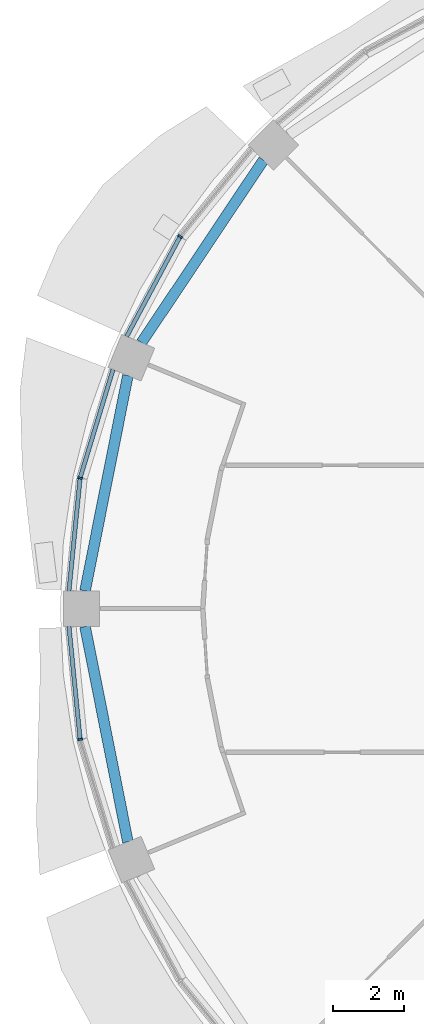
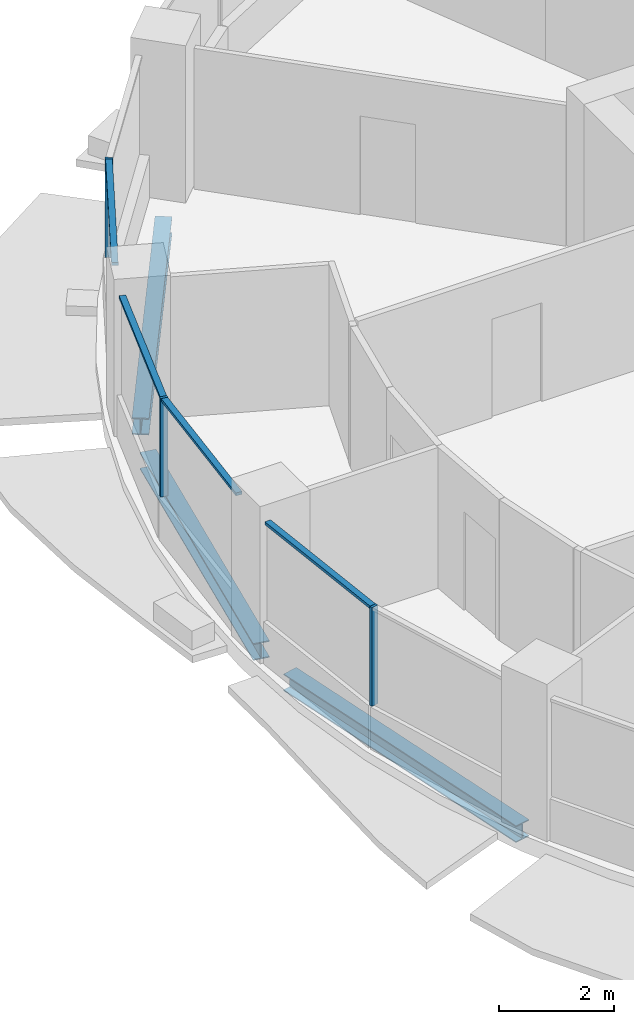
# One storey, part 4 of 15: 7 members, 3 beams, 3 elements without a shape of their own.
"""IFC4 building model written with IfcOpenShell, lengths in metres."""

from ifc_helpers import new_model, si_unit, direction, frame, origin, origin_2d, place, context, subcontext, project, spatial, rectangle, i_section, extrude, material, material_profile, profile_set, type_object, element, aggregate, save


model = new_model("IFC4")

# Units and contexts
model_context = context("Model", 3, precision=1e-05, world=origin(), true_north=direction((0.0, 1.0)))
body_context = subcontext(model_context, "Body", "Model", "MODEL_VIEW")
ifc_project = project(units=[si_unit("LENGTHUNIT", "METRE"), si_unit("AREAUNIT", "SQUARE_METRE"), si_unit("VOLUMEUNIT", "CUBIC_METRE"), si_unit("PLANEANGLEUNIT", "RADIAN"), si_unit("MASSUNIT", "GRAM", prefix="KILO")], contexts=[model_context])

# Site, building, storey
site_placement = place(None, origin())
site = spatial("IfcSite", under=ifc_project, at=site_placement, CompositionType="ELEMENT")
building_placement = place(site_placement, origin())
building = spatial("IfcBuilding", under=site, at=building_placement, Name="Polderwave Tower", CompositionType="ELEMENT")
storey_placement = place(building_placement, frame((0.0, 0.0, 131.0)))
storey = spatial("IfcBuildingStorey", under=building, at=storey_placement, Name="L34", CompositionType="ELEMENT", Elevation=131.0)

# Curtain wall, member
ifc_material_1 = material(Name="Aluminium 6063-T6 and glass", Category="aluminium")
curtain_wall_type = type_object("IfcCurtainWallType", Name="Office ribbon glazing wall", PredefinedType="NOTDEFINED", material=ifc_material_1)
curtain_wall_1_placement = place(storey_placement, origin())
curtain_wall_1 = element("IfcCurtainWall", 1, at=curtain_wall_1_placement, inside=storey, type_object=curtain_wall_type, Name="CW3 L34 06", PredefinedType="NOTDEFINED")
ifc_material_2 = material(Name="Aluminium 6063-T6", Category="aluminium")
ifc_material_profile_1 = material_profile(ifc_material_2, rectangle(XDim=0.139892578125, YDim=0.054931640625, at=origin_2d()), Name="AL 55x140")
ifc_profile_set_1 = profile_set([ifc_material_profile_1], Name="Aluminium 6063-T6")
member_type_1 = type_object("IfcMemberType", Name="Office ribbon glazing mullion 55x140", PredefinedType="MULLION", material=ifc_profile_set_1)
member_1_placement = place(storey_placement, frame((-15.614990234375, 10.43408203125, 0.89990234375), z_axis=(0.0, 0.0, 1.0), x_axis=(0.831411428565, -0.555657301267, 0.0)))
member_1 = element("IfcMember", 2, at=member_1_placement, type_object=member_type_1, Name="CW3 mullion 1", PredefinedType="MULLION", context=body_context, shape_type="SweptSolid", body=[
    extrude(rectangle(XDim=0.139892578125, YDim=0.054931640625, at=origin_2d()), origin(), (0.0, 0.0, 1.0), 2.10009765625),
])

curtain_wall_2_placement = place(storey_placement, origin())
curtain_wall_2 = element("IfcCurtainWall", 3, at=curtain_wall_2_placement, inside=storey, type_object=curtain_wall_type, Name="CW3 L34 07", PredefinedType="NOTDEFINED")
member_2_placement = place(storey_placement, frame((-18.4189453125, 3.6640625, 0.89990234375), z_axis=(0.0, 0.0, 1.0), x_axis=(0.980767570528, -0.195179334461, 0.0)))
member_2 = element("IfcMember", 4, at=member_2_placement, type_object=member_type_1, Name="CW3 mullion 1", PredefinedType="MULLION", context=body_context, shape_type="SweptSolid", body=[
    extrude(rectangle(XDim=0.139892578125, YDim=0.054931640625, at=origin_2d()), origin(), (0.0, 0.0, 1.0), 2.10009765625),
])

curtain_wall_3_placement = place(storey_placement, origin())
curtain_wall_3 = element("IfcCurtainWall", 5, at=curtain_wall_3_placement, inside=storey, type_object=curtain_wall_type, Name="CW3 L34 08", PredefinedType="NOTDEFINED")
member_3_placement = place(storey_placement, frame((-18.4189453125, -3.6640625, 0.89990234375), z_axis=(0.0, 0.0, 1.0), x_axis=(0.980767570528, 0.195179334461, 0.0)))
member_3 = element("IfcMember", 6, at=member_3_placement, type_object=member_type_1, Name="CW3 mullion 1", PredefinedType="MULLION", context=body_context, shape_type="SweptSolid", body=[
    extrude(rectangle(XDim=0.139892578125, YDim=0.054931640625, at=origin_2d()), origin(), (0.0, 0.0, 1.0), 2.10009765625),
])

# Member
ifc_material_profile_2 = material_profile(ifc_material_2, rectangle(XDim=0.1201171875, YDim=0.06005859375, at=origin_2d()), Name="AL 60x120")
ifc_profile_set_2 = profile_set([ifc_material_profile_2], Name="Aluminium 6063-T6")
member_type_2 = type_object("IfcMemberType", Name="Office ribbon glazing transom 60x120", PredefinedType="USERDEFINED", material=ifc_profile_set_2)
member_4_placement = place(storey_placement, frame((-15.6279296875, 10.40966796875, 2.969970703125), z_axis=(-0.471460363877, -0.88188725203, 0.0), x_axis=(0.88188725203, -0.471460363877, 0.0)))
member_4 = element("IfcMember", 7, at=member_4_placement, type_object=member_type_2, Name="CW3 transom 2", ObjectType="TRANSOM", PredefinedType="USERDEFINED", context=body_context, shape_type="SweptSolid", body=[
    extrude(rectangle(XDim=0.1201171875, YDim=0.06005859375, at=origin_2d()), origin(), (0.0, 0.0, 1.0), 3.152099609375),
])

aggregate(curtain_wall_1, [member_1, member_4])

member_5_placement = place(storey_placement, frame((-17.49609375, 6.7060546875, 2.969970703125), z_axis=(-0.290267539602, -0.956945534215, 0.0), x_axis=(0.956945534215, -0.290267539602, 0.0)))
member_5 = element("IfcMember", 8, at=member_5_placement, type_object=member_type_2, Name="CW3 transom 1", ObjectType="TRANSOM", PredefinedType="USERDEFINED", context=body_context, shape_type="SweptSolid", body=[
    extrude(rectangle(XDim=0.1201171875, YDim=0.06005859375, at=origin_2d()), origin(), (0.0, 0.0, 1.0), 3.151611328125),
])

member_6_placement = place(storey_placement, frame((-18.421630859375, 3.63671875, 2.969970703125), z_axis=(-0.09813853445, -0.995172762919, 0.0), x_axis=(0.995172762919, -0.09813853445, 0.0)))
member_6 = element("IfcMember", 9, at=member_6_placement, type_object=member_type_2, Name="CW3 transom 2", ObjectType="TRANSOM", PredefinedType="USERDEFINED", context=body_context, shape_type="SweptSolid", body=[
    extrude(rectangle(XDim=0.1201171875, YDim=0.06005859375, at=origin_2d()), origin(), (0.0, 0.0, 1.0), 3.15185546875),
])

aggregate(curtain_wall_2, [member_2, member_5, member_6])

member_7_placement = place(storey_placement, frame((-18.73095703125, -0.5, 2.969970703125), z_axis=(0.09813853445, -0.995172762919, 0.0), x_axis=(0.995172762919, 0.09813853445, 0.0)))
member_7 = element("IfcMember", 10, at=member_7_placement, type_object=member_type_2, Name="CW3 transom 1", ObjectType="TRANSOM", PredefinedType="USERDEFINED", context=body_context, shape_type="SweptSolid", body=[
    extrude(rectangle(XDim=0.1201171875, YDim=0.06005859375, at=origin_2d()), origin(), (0.0, 0.0, 1.0), 3.15185546875),
])

aggregate(curtain_wall_3, [member_3, member_7])

# Beams
ifc_material_3 = material(Name="Steel S355", Category="steel")
ifc_material_profile_3 = material_profile(ifc_material_3, i_section(OverallWidth=0.300048828125, OverallDepth=0.360107421875, WebThickness=0.012451171875, FlangeThickness=0.0224609375, at=origin_2d()), Name="HE 360 B")
ifc_profile_set_3 = profile_set([ifc_material_profile_3], Name="Steel S355")
beam_type = type_object("IfcBeamType", Name="RING BEAM HE 360 B", PredefinedType="BEAM", material=ifc_profile_set_3)
beam_placement = place(storey_placement, frame((-13.27978515625, 12.57275390625, -0.530029296875), z_axis=(-0.555579044629, -0.831463724506, 0.0), x_axis=(0.831463724506, -0.555579044629, 0.0)))
element("IfcBeam", 11, at=beam_placement, inside=storey, type_object=beam_type, Name="ST-RB-L34-06", PredefinedType="BEAM", context=body_context, shape_type="SweptSolid", body=[
    extrude(i_section(OverallWidth=0.300048828125, OverallDepth=0.360107421875, WebThickness=0.012451171875, FlangeThickness=0.0224609375, at=origin_2d()), origin(), (0.0, 0.0, 1.0), 6.152099609375),
])
for number, where, z_axis, x_axis, name in (
    (12, (-17.080322265625, 6.53369140625, -0.530029296875), (-0.195093366566, -0.9807846748, 0.0), (0.9807846748, -0.195093366566, 0.0), "ST-RB-L34-07"),
    (13, (-18.280517578125, -0.5, -0.530029296875), (0.195093366566, -0.9807846748, 0.0), (0.9807846748, 0.195093366566, 0.0), "ST-RB-L34-08"),
):
    element("IfcBeam", number, at=place(storey_placement, frame(where, z_axis=z_axis, x_axis=x_axis)), inside=storey, type_object=beam_type, Name=name, PredefinedType="BEAM", context=body_context, shape_type="SweptSolid", body=[
        extrude(i_section(OverallWidth=0.300048828125, OverallDepth=0.360107421875, WebThickness=0.012451171875, FlangeThickness=0.0224609375, at=origin_2d()), origin(), (0.0, 0.0, 1.0), 6.15185546875),
    ])

save(model, "model.ifc")
